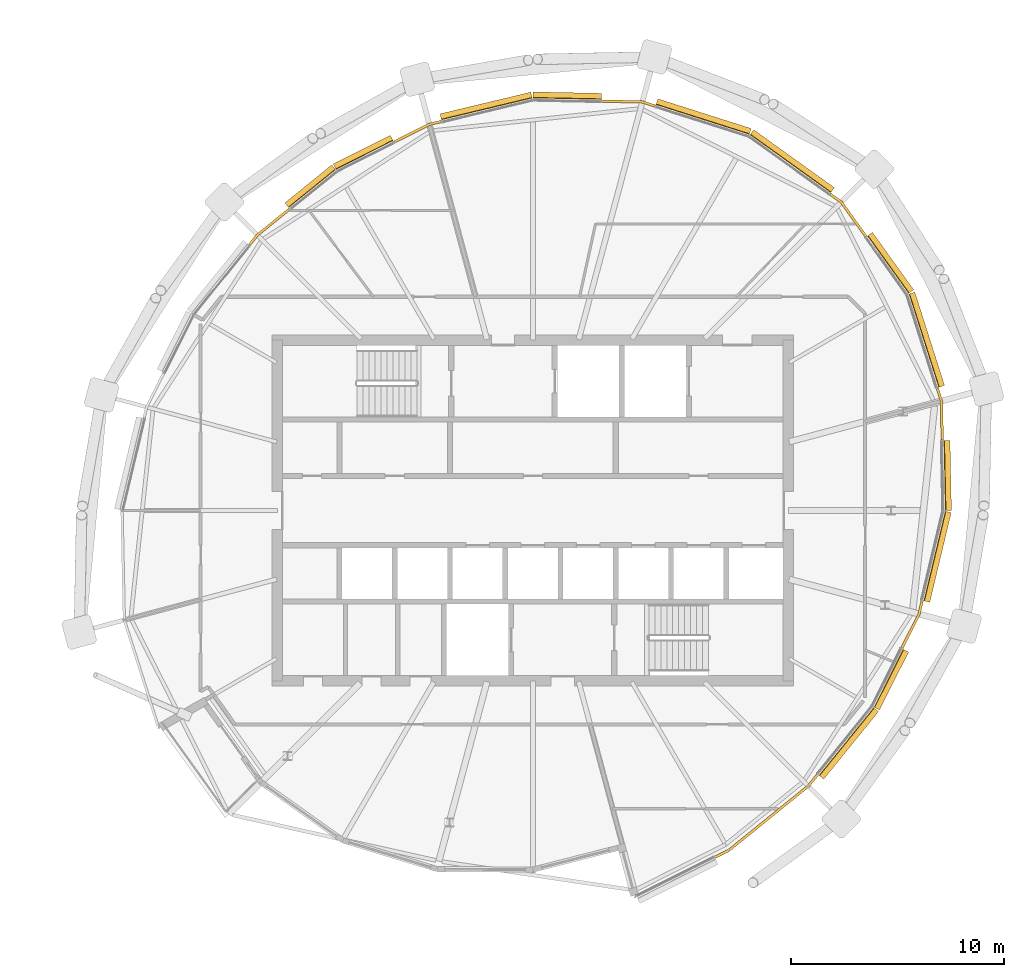
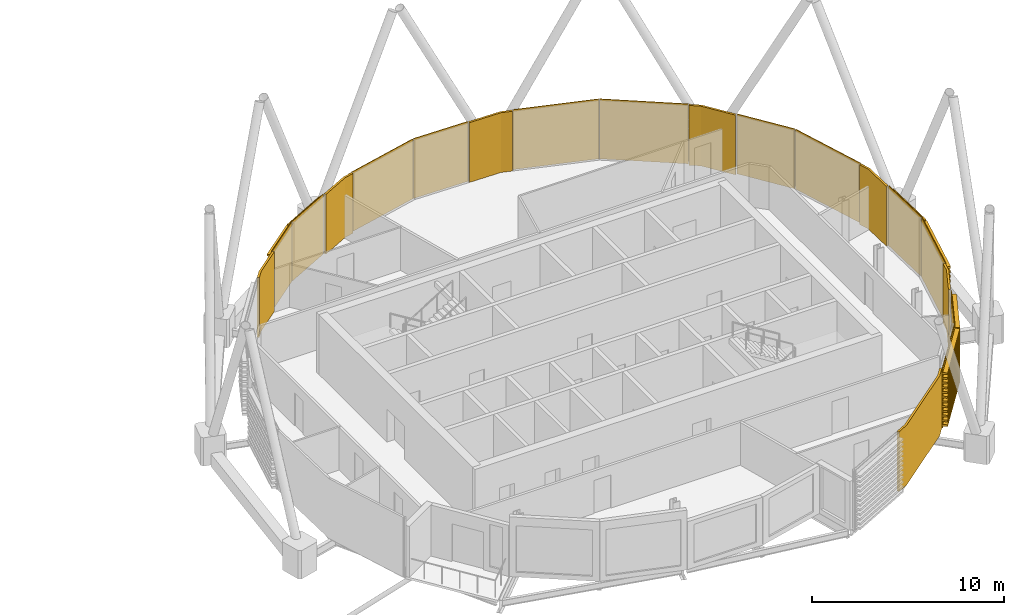
# One storey, part 32 of 32: 19 coverings.
"""IFC4 building model written with IfcOpenShell, lengths in metres."""

import ifcopenshell
import ifcopenshell.guid

model = None  # the IFC model being written
_history = None  # IfcOwnerHistory: only IFC2X3 demands one
_inside = {}  # id of a spatial element -> (the spatial element, [elements in it])
_under = {}  # id of a project, library or spatial element -> (it, [spatial elements below it])
_declared = {}  # id of a project -> (the project, [libraries it declares])
_typed = {}  # id of a type object -> (the type object, [elements of that type])
_made_of = {}  # id of a material, layer set ... -> (it, [elements and type objects made of it])


def new_model(schema):
    """Start an empty IFC model of exactly this schema.

    Asked for "IFC4X3", IfcOpenShell would pick the latest addendum, in which some entities
    have other attributes; the version numbers below select the first issue.
    IFC2X3 requires an IfcOwnerHistory on every rooted entity: one is made here for all.
    """
    global model, _history
    if schema == "IFC4X3":
        model = ifcopenshell.file(schema_version=(4, 3, 0, 0))
    else:
        model = ifcopenshell.file(schema=schema)
    _inside.clear()
    _under.clear()
    _declared.clear()
    _typed.clear()
    _made_of.clear()
    _history = None
    if model.schema == "IFC2X3":
        org = make("IfcOrganization", Name="unknown")
        user = make(
            "IfcPersonAndOrganization",
            ThePerson=make("IfcPerson", FamilyName="unknown"),
            TheOrganization=org,
        )
        app = make(
            "IfcApplication",
            ApplicationDeveloper=org,
            Version="unknown",
            ApplicationFullName="unknown",
            ApplicationIdentifier="unknown",
        )
        _history = make(
            "IfcOwnerHistory",
            OwningUser=user,
            OwningApplication=app,
            ChangeAction="ADDED",
            CreationDate=0,
        )
    return model


def make(cls, **values):
    """One entity of the class cls with the attributes given. An attribute that is None is left unset."""
    return model.create_entity(
        cls, **{name: value for name, value in values.items() if value is not None}
    )


def rooted(cls, **values):
    """An entity with a GlobalId (a new one), such as an element, a storey or a relation."""
    return make(cls, GlobalId=ifcopenshell.guid.new(), OwnerHistory=_history, **values)


def si_unit(unit_type, name, prefix=None):
    """IfcSIUnit, for example si_unit("LENGTHUNIT", "METRE", prefix="MILLI")."""
    return make("IfcSIUnit", UnitType=unit_type, Prefix=prefix, Name=name)


def assignment(units):
    """IfcUnitAssignment: the units of a project."""
    return None if units is None else make("IfcUnitAssignment", Units=units)


def point(xyz):
    """IfcCartesianPoint."""
    return None if xyz is None else make("IfcCartesianPoint", Coordinates=xyz)


def direction(xyz):
    """IfcDirection."""
    return None if xyz is None else make("IfcDirection", DirectionRatios=xyz)


def frame(location, z_axis=None, x_axis=None):
    """IfcAxis2Placement3D, a coordinate frame: its origin and axes. An axis left out is left unset."""
    return make(
        "IfcAxis2Placement3D",
        Location=point(location),
        Axis=direction(z_axis),
        RefDirection=direction(x_axis),
    )


def origin():
    """The frame at (0, 0, 0) with its axes left unset."""
    return frame((0.0, 0.0, 0.0))


def place(relative_to, where):
    """IfcLocalPlacement: puts the frame where relative to a parent placement (None: the world)."""
    return make(
        "IfcLocalPlacement", PlacementRelTo=relative_to, RelativePlacement=where
    )


def context(
    kind, dimensions, precision=None, world=None, true_north=None, identifier=None
):
    """IfcGeometricRepresentationContext, for example the 3D "Model" context."""
    return make(
        "IfcGeometricRepresentationContext",
        ContextIdentifier=identifier,
        ContextType=kind,
        CoordinateSpaceDimension=dimensions,
        Precision=precision,
        WorldCoordinateSystem=world,
        TrueNorth=true_north,
    )


def subcontext(parent, identifier, kind, view, scale=None):
    """IfcGeometricRepresentationSubContext, for example "Body" below "Model"."""
    return make(
        "IfcGeometricRepresentationSubContext",
        ContextIdentifier=identifier,
        ContextType=kind,
        ParentContext=parent,
        TargetScale=scale,
        TargetView=view,
    )


def project(units=None, contexts=None):
    """IfcProject with its units and contexts."""
    return rooted(
        "IfcProject",
        Name="project",
        RepresentationContexts=contexts,
        UnitsInContext=assignment(units),
    )


def spatial(cls, under=None, at=None, **own):
    """A site, building, storey or space (cls), placed at a placement, below another one or the project."""
    s = rooted(cls, ObjectPlacement=at, **own)
    if under is not None:
        _under.setdefault(under.id(), (under, []))[1].append(s)
    return s


def polyline(points):
    """IfcPolyline through the points."""
    return make("IfcPolyline", Points=[point(p) for p in points])


def outline(outer, holes=None, kind="AREA"):
    """IfcArbitraryClosedProfileDef: a profile drawn as a closed curve; with holes, ...WithVoids."""
    if holes is None:
        return make("IfcArbitraryClosedProfileDef", ProfileType=kind, OuterCurve=outer)
    return make(
        "IfcArbitraryProfileDefWithVoids",
        ProfileType=kind,
        OuterCurve=outer,
        InnerCurves=holes,
    )


def extrude(swept, where, along, depth):
    """IfcExtrudedAreaSolid: the profile swept, set in the frame where, extruded along a direction by depth."""
    return make(
        "IfcExtrudedAreaSolid",
        SweptArea=swept,
        Position=where,
        ExtrudedDirection=direction(along),
        Depth=depth,
    )


def shape(context_of_items, identifier, shape_type, items):
    """IfcShapeRepresentation: the items that make up one representation, for example the "Body"."""
    return make(
        "IfcShapeRepresentation",
        ContextOfItems=context_of_items,
        RepresentationIdentifier=identifier,
        RepresentationType=shape_type,
        Items=items,
    )


def material(Name=None, Category=None):
    """IfcMaterial."""
    return make("IfcMaterial", Name=Name, Category=Category)


def layer(
    of_material, thickness, ventilated=None, Name=None, Category=None, Priority=None
):
    """IfcMaterialLayer: one layer of a wall or slab, of a material (None: an air gap)."""
    return make(
        "IfcMaterialLayer",
        Material=of_material,
        LayerThickness=thickness,
        IsVentilated=ventilated,
        Name=Name,
        Category=Category,
        Priority=Priority,
    )


def layer_set(layers, Name=None):
    """IfcMaterialLayerSet."""
    return make("IfcMaterialLayerSet", MaterialLayers=layers, LayerSetName=Name)


def material_profile(
    of_material, cross_section, Name=None, Category=None, Priority=None
):
    """IfcMaterialProfile: a cross section and its material."""
    return make(
        "IfcMaterialProfile",
        Name=Name,
        Material=of_material,
        Profile=cross_section,
        Priority=Priority,
        Category=Category,
    )


def profile_set(profiles, Name=None, composite=None):
    """IfcMaterialProfileSet."""
    return make(
        "IfcMaterialProfileSet",
        Name=Name,
        MaterialProfiles=profiles,
        CompositeProfile=composite,
    )


def made_of(thing, what):
    """Note that an element or type object is made of a material, layer set ...; save() writes the relation."""
    if what is not None:
        _made_of.setdefault(what.id(), (what, []))[1].append(thing)
    return thing


def type_object(cls, material=None, **own):
    """A type object (cls), such as IfcWallType, which elements share."""
    return made_of(rooted(cls, **own), material)


def element(
    cls,
    number,
    at=None,
    inside=None,
    cuts=None,
    type_object=None,
    material=None,
    context=None,
    identifier="Body",
    shape_type=None,
    held_by="IfcProductDefinitionShape",
    body=None,
    shapes=None,
    **own,
):
    """One element of the class cls, such as IfcWall. Its Tag is "e" and its number.

    at: its placement. inside: the storey or other place that contains it. cuts: it is an
    opening in that element (IfcRelVoidsElement). A single representation is given by context,
    identifier, shape_type and body (its items); several are given by shapes. held_by: the class
    of the entity that holds the representations. save() writes the other relations.
    """
    e = rooted(cls, Tag="e%d" % number, ObjectPlacement=at, **own)
    if body is not None:
        shapes = [shape(context, identifier, shape_type, body)]
    if shapes is not None:
        e.Representation = make(held_by, Representations=shapes)
    if inside is not None:
        _inside.setdefault(inside.id(), (inside, []))[1].append(e)
    if cuts is not None:
        rooted(
            "IfcRelVoidsElement", RelatingBuildingElement=cuts, RelatedOpeningElement=e
        )
    if type_object is not None:
        _typed.setdefault(type_object.id(), (type_object, []))[1].append(e)
    return made_of(e, material)


def aggregate(whole, parts):
    """IfcRelAggregates: a whole, such as a stair, and the parts it consists of."""
    return rooted("IfcRelAggregates", RelatingObject=whole, RelatedObjects=parts)


def save(model, path):
    """Write the relations noted so far, then the file.

    IfcRelAggregates (storeys below a building ...), IfcRelContainedInSpatialStructure (elements
    in a storey), IfcRelDefinesByType, IfcRelAssociatesMaterial and IfcRelDeclares: one each for
    every whole, place, type object, material and project.
    """
    for whole, parts in _under.values():
        aggregate(whole, parts)
    for where, things in _inside.values():
        rooted(
            "IfcRelContainedInSpatialStructure",
            RelatedElements=things,
            RelatingStructure=where,
        )
    for kind, things in _typed.values():
        rooted("IfcRelDefinesByType", RelatedObjects=things, RelatingType=kind)
    for what, things in _made_of.values():
        rooted("IfcRelAssociatesMaterial", RelatedObjects=things, RelatingMaterial=what)
    for by, libraries in _declared.values():
        rooted("IfcRelDeclares", RelatingContext=by, RelatedDefinitions=libraries)
    model.write(path)


model = new_model("IFC4")

# Units and contexts
model_context = context("Model", 3, precision=1e-05, world=origin(), true_north=direction((0.0, 1.0)))
body_context = subcontext(model_context, "Body", "Model", "MODEL_VIEW")
ifc_project = project(units=[si_unit("LENGTHUNIT", "METRE"), si_unit("AREAUNIT", "SQUARE_METRE"), si_unit("VOLUMEUNIT", "CUBIC_METRE"), si_unit("PLANEANGLEUNIT", "RADIAN"), si_unit("MASSUNIT", "GRAM", prefix="KILO")], contexts=[model_context])

# Site, building, storey
site_placement = place(None, origin())
site = spatial("IfcSite", under=ifc_project, at=site_placement, CompositionType="ELEMENT")
building_placement = place(site_placement, origin())
building = spatial("IfcBuilding", under=site, at=building_placement, Name="Rimbun Link Towers", CompositionType="ELEMENT")
storey_placement = place(building_placement, frame((0.0, 0.0, 233.300048828125)))
storey = spatial("IfcBuildingStorey", under=building, at=storey_placement, Name="L57", CompositionType="ELEMENT", Elevation=233.300048828125)

# Coverings
ifc_material_1 = material(Name="Terracotta", Category="masonry")
ifc_layer = layer(ifc_material_1, 0.1201171875)
ifc_layer_set = layer_set([ifc_layer], Name="LINK PIER terracotta cladding 120")
covering_type_1 = type_object("IfcCoveringType", Name="LINK PIER terracotta cladding 120", PredefinedType="CLADDING", material=ifc_layer_set)
covering_1_placement = place(storey_placement, origin())
element("IfcCovering", 1, at=covering_1_placement, inside=storey, type_object=covering_type_1, Name="LINK PIER cladding", PredefinedType="CLADDING", context=body_context, shape_type="SweptSolid", body=[
    extrude(outline(polyline([(45.68896484375, 14.80419921875), (46.19287109375, 14.44287109375), (47.34130859375, 12.84228515625), (47.438720703125, 12.912109375), (46.27880859375, 14.52880859375), (45.759033203125, 14.90185546875), (45.68896484375, 14.80419921875)])), origin(), (0.0, 0.0, 1.0), 3.800048828125),
])
covering_2_placement = place(storey_placement, origin())
element("IfcCovering", 2, at=covering_2_placement, inside=storey, type_object=covering_type_1, Name="LINK PIER cladding", PredefinedType="CLADDING", context=body_context, shape_type="SweptSolid", body=[
    extrude(outline(polyline([(35.00634765625, 19.169677734375), (36.8759765625, 19.13037109375), (37.466796875, 18.9423828125), (37.503173828125, 19.056640625), (36.895751953125, 19.25), (35.0087890625, 19.28955078125), (35.00634765625, 19.169677734375)])), origin(), (0.0, 0.0, 1.0), 3.800048828125),
])
covering_3_placement = place(storey_placement, origin())
element("IfcCovering", 3, at=covering_3_placement, inside=storey, type_object=covering_type_1, Name="LINK PIER cladding", PredefinedType="CLADDING", context=body_context, shape_type="SweptSolid", body=[
    extrude(outline(polyline([(25.279052734375, 17.262939453125), (26.905517578125, 18.07958984375), (27.4599609375, 18.21240234375), (27.43212890625, 18.3291015625), (26.8642578125, 18.193115234375), (25.225341796875, 17.3701171875), (25.279052734375, 17.262939453125)])), origin(), (0.0, 0.0, 1.0), 3.800048828125),
])
covering_4_placement = place(storey_placement, origin())
element("IfcCovering", 4, at=covering_4_placement, inside=storey, type_object=covering_type_1, Name="LINK PIER cladding", PredefinedType="CLADDING", context=body_context, shape_type="SweptSolid", body=[
    extrude(outline(polyline([(18.49609375, 12.452392578125), (18.8544921875, 12.8955078125), (20.346923828125, 14.103271484375), (20.271484375, 14.196533203125), (18.769287109375, 12.980712890625), (18.40283203125, 12.52783203125), (18.49609375, 12.452392578125)])), origin(), (0.0, 0.0, 1.0), 3.800048828125),
])
covering_5_placement = place(storey_placement, origin())
element("IfcCovering", 5, at=covering_5_placement, inside=storey, type_object=covering_type_1, Name="LINK PIER cladding", PredefinedType="CLADDING", context=body_context, shape_type="SweptSolid", body=[
    extrude(outline(polyline([(45.06689453125, -12.37451171875), (44.6455078125, -12.8955078125), (40.930908203125, -15.90185546875), (40.28759765625, -16.22509765625), (40.341552734375, -16.332275390625), (40.996337890625, -16.00341796875), (44.730712890625, -12.980712890625), (45.16015625, -12.4501953125), (45.06689453125, -12.37451171875)])), origin(), (0.0, 0.0, 1.0), 3.800048828125),
])
covering_6_placement = place(storey_placement, origin())
element("IfcCovering", 6, at=covering_6_placement, inside=storey, type_object=covering_type_1, Name="LINK PIER cladding", PredefinedType="CLADDING", context=body_context, shape_type="SweptSolid", body=[
    extrude(outline(polyline([(49.973876953125, -4.241455078125), (49.82958984375, -4.844482421875), (49.035400390625, -6.42626953125), (49.142578125, -6.47998046875), (49.943115234375, -4.8857421875), (50.090576171875, -4.269287109375), (49.973876953125, -4.241455078125)])), origin(), (0.0, 0.0, 1.0), 3.800048828125),
])
covering_7_placement = place(storey_placement, origin())
element("IfcCovering", 7, at=covering_7_placement, inside=storey, type_object=covering_type_1, Name="LINK PIER cladding", PredefinedType="CLADDING", context=body_context, shape_type="SweptSolid", body=[
    extrude(outline(polyline([(50.6923828125, 5.716796875), (50.88037109375, 5.1259765625), (50.918701171875, 3.306396484375), (51.03857421875, 3.308837890625), (51.0, 5.145751953125), (50.806640625, 5.753173828125), (50.6923828125, 5.716796875)])), origin(), (0.0, 0.0, 1.0), 3.800048828125),
])
ifc_material_2 = material(Name="Terracotta", Category="masonry")
ifc_material_profile = material_profile(ifc_material_2, outline(polyline([(0.123046875, 0.0), (0.1630859375, 0.0), (0.1630859375, 0.10009765625), (0.423095703125, 0.10009765625), (0.423095703125, 0.219970703125), (0.1630859375, 0.219970703125), (0.1630859375, 0.39990234375), (0.423095703125, 0.39990234375), (0.423095703125, 0.52001953125), (0.1630859375, 0.52001953125), (0.1630859375, 0.699951171875), (0.423095703125, 0.699951171875), (0.423095703125, 0.820068359375), (0.1630859375, 0.820068359375), (0.1630859375, 1.0), (0.423095703125, 1.0), (0.423095703125, 1.1201171875), (0.1630859375, 1.1201171875), (0.1630859375, 1.300048828125), (0.423095703125, 1.300048828125), (0.423095703125, 1.419921875), (0.1630859375, 1.419921875), (0.1630859375, 1.60009765625), (0.423095703125, 1.60009765625), (0.423095703125, 1.719970703125), (0.1630859375, 1.719970703125), (0.1630859375, 1.89990234375), (0.423095703125, 1.89990234375), (0.423095703125, 2.02001953125), (0.1630859375, 2.02001953125), (0.1630859375, 2.199951171875), (0.423095703125, 2.199951171875), (0.423095703125, 2.320068359375), (0.1630859375, 2.320068359375), (0.1630859375, 2.5), (0.423095703125, 2.5), (0.423095703125, 2.6201171875), (0.1630859375, 2.6201171875), (0.1630859375, 2.800048828125), (0.423095703125, 2.800048828125), (0.423095703125, 2.919921875), (0.1630859375, 2.919921875), (0.1630859375, 3.10009765625), (0.423095703125, 3.10009765625), (0.423095703125, 3.219970703125), (0.1630859375, 3.219970703125), (0.1630859375, 3.39990234375), (0.423095703125, 3.39990234375), (0.423095703125, 3.52001953125), (0.1630859375, 3.52001953125), (0.1630859375, 3.800048828125), (0.123046875, 3.800048828125), (0.123046875, 0.0)])), Name="BAGUETTE 120X300")
ifc_profile_set = profile_set([ifc_material_profile], Name="Terracotta")
covering_type_2 = type_object("IfcCoveringType", Name="TERRACOTTA BAGUETTE 120X300 H3800", PredefinedType="CLADDING", material=ifc_profile_set)
covering_8_placement = place(storey_placement, frame((41.876708984375, 17.539794921875, 0.0), z_axis=(0.812489722705, -0.582975514493, 0.0), x_axis=(0.582975514493, 0.812489722705, 0.0)))
element("IfcCovering", 8, at=covering_8_placement, inside=storey, type_object=covering_type_2, Name="TERRACOTTA BAGUETTE", PredefinedType="CLADDING", context=body_context, shape_type="SweptSolid", body=[
    extrude(outline(polyline([(0.123046875, 0.0), (0.1630859375, 0.0), (0.1630859375, 0.10009765625), (0.423095703125, 0.10009765625), (0.423095703125, 0.219970703125), (0.1630859375, 0.219970703125), (0.1630859375, 0.39990234375), (0.423095703125, 0.39990234375), (0.423095703125, 0.52001953125), (0.1630859375, 0.52001953125), (0.1630859375, 0.699951171875), (0.423095703125, 0.699951171875), (0.423095703125, 0.820068359375), (0.1630859375, 0.820068359375), (0.1630859375, 1.0), (0.423095703125, 1.0), (0.423095703125, 1.1201171875), (0.1630859375, 1.1201171875), (0.1630859375, 1.300048828125), (0.423095703125, 1.300048828125), (0.423095703125, 1.419921875), (0.1630859375, 1.419921875), (0.1630859375, 1.60009765625), (0.423095703125, 1.60009765625), (0.423095703125, 1.719970703125), (0.1630859375, 1.719970703125), (0.1630859375, 1.89990234375), (0.423095703125, 1.89990234375), (0.423095703125, 2.02001953125), (0.1630859375, 2.02001953125), (0.1630859375, 2.199951171875), (0.423095703125, 2.199951171875), (0.423095703125, 2.320068359375), (0.1630859375, 2.320068359375), (0.1630859375, 2.5), (0.423095703125, 2.5), (0.423095703125, 2.6201171875), (0.1630859375, 2.6201171875), (0.1630859375, 2.800048828125), (0.423095703125, 2.800048828125), (0.423095703125, 2.919921875), (0.1630859375, 2.919921875), (0.1630859375, 3.10009765625), (0.423095703125, 3.10009765625), (0.423095703125, 3.219970703125), (0.1630859375, 3.219970703125), (0.1630859375, 3.39990234375), (0.423095703125, 3.39990234375), (0.423095703125, 3.52001953125), (0.1630859375, 3.52001953125), (0.1630859375, 3.800048828125), (0.123046875, 3.800048828125), (0.123046875, 0.0)])), origin(), (0.0, 0.0, 1.0), 4.662353515625),
])
covering_9_placement = place(storey_placement, frame((37.495361328125, 18.933349609375, 0.0), z_axis=(0.952957854704, -0.303102832645, 0.0), x_axis=(0.303102832645, 0.952957854704, 0.0)))
element("IfcCovering", 9, at=covering_9_placement, inside=storey, type_object=covering_type_2, Name="TERRACOTTA BAGUETTE", PredefinedType="CLADDING", context=body_context, shape_type="SweptSolid", body=[
    extrude(outline(polyline([(0.123046875, 0.0), (0.1630859375, 0.0), (0.1630859375, 0.10009765625), (0.423095703125, 0.10009765625), (0.423095703125, 0.219970703125), (0.1630859375, 0.219970703125), (0.1630859375, 0.39990234375), (0.423095703125, 0.39990234375), (0.423095703125, 0.52001953125), (0.1630859375, 0.52001953125), (0.1630859375, 0.699951171875), (0.423095703125, 0.699951171875), (0.423095703125, 0.820068359375), (0.1630859375, 0.820068359375), (0.1630859375, 1.0), (0.423095703125, 1.0), (0.423095703125, 1.1201171875), (0.1630859375, 1.1201171875), (0.1630859375, 1.300048828125), (0.423095703125, 1.300048828125), (0.423095703125, 1.419921875), (0.1630859375, 1.419921875), (0.1630859375, 1.60009765625), (0.423095703125, 1.60009765625), (0.423095703125, 1.719970703125), (0.1630859375, 1.719970703125), (0.1630859375, 1.89990234375), (0.423095703125, 1.89990234375), (0.423095703125, 2.02001953125), (0.1630859375, 2.02001953125), (0.1630859375, 2.199951171875), (0.423095703125, 2.199951171875), (0.423095703125, 2.320068359375), (0.1630859375, 2.320068359375), (0.1630859375, 2.5), (0.423095703125, 2.5), (0.423095703125, 2.6201171875), (0.1630859375, 2.6201171875), (0.1630859375, 2.800048828125), (0.423095703125, 2.800048828125), (0.423095703125, 2.919921875), (0.1630859375, 2.919921875), (0.1630859375, 3.10009765625), (0.423095703125, 3.10009765625), (0.423095703125, 3.219970703125), (0.1630859375, 3.219970703125), (0.1630859375, 3.39990234375), (0.423095703125, 3.39990234375), (0.423095703125, 3.52001953125), (0.1630859375, 3.52001953125), (0.1630859375, 3.800048828125), (0.123046875, 3.800048828125), (0.123046875, 0.0)])), origin(), (0.0, 0.0, 1.0), 4.59765625),
])
covering_10_placement = place(storey_placement, frame((31.75, 19.23828125, 0.0), z_axis=(0.999778802026, -0.021032047443, 0.0), x_axis=(0.021032047443, 0.999778802026, 0.0)))
element("IfcCovering", 10, at=covering_10_placement, inside=storey, type_object=covering_type_2, Name="TERRACOTTA BAGUETTE", PredefinedType="CLADDING", context=body_context, shape_type="SweptSolid", body=[
    extrude(outline(polyline([(0.123046875, 0.0), (0.1630859375, 0.0), (0.1630859375, 0.10009765625), (0.423095703125, 0.10009765625), (0.423095703125, 0.219970703125), (0.1630859375, 0.219970703125), (0.1630859375, 0.39990234375), (0.423095703125, 0.39990234375), (0.423095703125, 0.52001953125), (0.1630859375, 0.52001953125), (0.1630859375, 0.699951171875), (0.423095703125, 0.699951171875), (0.423095703125, 0.820068359375), (0.1630859375, 0.820068359375), (0.1630859375, 1.0), (0.423095703125, 1.0), (0.423095703125, 1.1201171875), (0.1630859375, 1.1201171875), (0.1630859375, 1.300048828125), (0.423095703125, 1.300048828125), (0.423095703125, 1.419921875), (0.1630859375, 1.419921875), (0.1630859375, 1.60009765625), (0.423095703125, 1.60009765625), (0.423095703125, 1.719970703125), (0.1630859375, 1.719970703125), (0.1630859375, 1.89990234375), (0.423095703125, 1.89990234375), (0.423095703125, 2.02001953125), (0.1630859375, 2.02001953125), (0.1630859375, 2.199951171875), (0.423095703125, 2.199951171875), (0.423095703125, 2.320068359375), (0.1630859375, 2.320068359375), (0.1630859375, 2.5), (0.423095703125, 2.5), (0.423095703125, 2.6201171875), (0.1630859375, 2.6201171875), (0.1630859375, 2.800048828125), (0.423095703125, 2.800048828125), (0.423095703125, 2.919921875), (0.1630859375, 2.919921875), (0.1630859375, 3.10009765625), (0.423095703125, 3.10009765625), (0.423095703125, 3.219970703125), (0.1630859375, 3.219970703125), (0.1630859375, 3.39990234375), (0.423095703125, 3.39990234375), (0.423095703125, 3.52001953125), (0.1630859375, 3.52001953125), (0.1630859375, 3.800048828125), (0.123046875, 3.800048828125), (0.123046875, 0.0)])), origin(), (0.0, 0.0, 1.0), 3.22705078125),
])
covering_11_placement = place(storey_placement, frame((27.4892578125, 18.21923828125, 0.0), z_axis=(0.972570121916, 0.232609883617, 0.0), x_axis=(-0.232609883617, 0.972570121916, 0.0)))
element("IfcCovering", 11, at=covering_11_placement, inside=storey, type_object=covering_type_2, Name="TERRACOTTA BAGUETTE", PredefinedType="CLADDING", context=body_context, shape_type="SweptSolid", body=[
    extrude(outline(polyline([(0.123046875, 0.0), (0.1630859375, 0.0), (0.1630859375, 0.10009765625), (0.423095703125, 0.10009765625), (0.423095703125, 0.219970703125), (0.1630859375, 0.219970703125), (0.1630859375, 0.39990234375), (0.423095703125, 0.39990234375), (0.423095703125, 0.52001953125), (0.1630859375, 0.52001953125), (0.1630859375, 0.699951171875), (0.423095703125, 0.699951171875), (0.423095703125, 0.820068359375), (0.1630859375, 0.820068359375), (0.1630859375, 1.0), (0.423095703125, 1.0), (0.423095703125, 1.1201171875), (0.1630859375, 1.1201171875), (0.1630859375, 1.300048828125), (0.423095703125, 1.300048828125), (0.423095703125, 1.419921875), (0.1630859375, 1.419921875), (0.1630859375, 1.60009765625), (0.423095703125, 1.60009765625), (0.423095703125, 1.719970703125), (0.1630859375, 1.719970703125), (0.1630859375, 1.89990234375), (0.423095703125, 1.89990234375), (0.423095703125, 2.02001953125), (0.1630859375, 2.02001953125), (0.1630859375, 2.199951171875), (0.423095703125, 2.199951171875), (0.423095703125, 2.320068359375), (0.1630859375, 2.320068359375), (0.1630859375, 2.5), (0.423095703125, 2.5), (0.423095703125, 2.6201171875), (0.1630859375, 2.6201171875), (0.1630859375, 2.800048828125), (0.423095703125, 2.800048828125), (0.423095703125, 2.919921875), (0.1630859375, 2.919921875), (0.1630859375, 3.10009765625), (0.423095703125, 3.10009765625), (0.423095703125, 3.219970703125), (0.1630859375, 3.219970703125), (0.1630859375, 3.39990234375), (0.423095703125, 3.39990234375), (0.423095703125, 3.52001953125), (0.1630859375, 3.52001953125), (0.1630859375, 3.800048828125), (0.123046875, 3.800048828125), (0.123046875, 0.0)])), origin(), (0.0, 0.0, 1.0), 4.380859375),
])
covering_12_placement = place(storey_placement, frame((22.569091796875, 15.90185546875, 0.0), z_axis=(0.89362897726, 0.448806473885, 0.0), x_axis=(-0.448806473885, 0.89362897726, 0.0)))
element("IfcCovering", 12, at=covering_12_placement, inside=storey, type_object=covering_type_2, Name="TERRACOTTA BAGUETTE", PredefinedType="CLADDING", context=body_context, shape_type="SweptSolid", body=[
    extrude(outline(polyline([(0.123046875, 0.0), (0.1630859375, 0.0), (0.1630859375, 0.10009765625), (0.423095703125, 0.10009765625), (0.423095703125, 0.219970703125), (0.1630859375, 0.219970703125), (0.1630859375, 0.39990234375), (0.423095703125, 0.39990234375), (0.423095703125, 0.52001953125), (0.1630859375, 0.52001953125), (0.1630859375, 0.699951171875), (0.423095703125, 0.699951171875), (0.423095703125, 0.820068359375), (0.1630859375, 0.820068359375), (0.1630859375, 1.0), (0.423095703125, 1.0), (0.423095703125, 1.1201171875), (0.1630859375, 1.1201171875), (0.1630859375, 1.300048828125), (0.423095703125, 1.300048828125), (0.423095703125, 1.419921875), (0.1630859375, 1.419921875), (0.1630859375, 1.60009765625), (0.423095703125, 1.60009765625), (0.423095703125, 1.719970703125), (0.1630859375, 1.719970703125), (0.1630859375, 1.89990234375), (0.423095703125, 1.89990234375), (0.423095703125, 2.02001953125), (0.1630859375, 2.02001953125), (0.1630859375, 2.199951171875), (0.423095703125, 2.199951171875), (0.423095703125, 2.320068359375), (0.1630859375, 2.320068359375), (0.1630859375, 2.5), (0.423095703125, 2.5), (0.423095703125, 2.6201171875), (0.1630859375, 2.6201171875), (0.1630859375, 2.800048828125), (0.423095703125, 2.800048828125), (0.423095703125, 2.919921875), (0.1630859375, 2.919921875), (0.1630859375, 3.10009765625), (0.423095703125, 3.10009765625), (0.423095703125, 3.219970703125), (0.1630859375, 3.219970703125), (0.1630859375, 3.39990234375), (0.423095703125, 3.39990234375), (0.423095703125, 3.52001953125), (0.1630859375, 3.52001953125), (0.1630859375, 3.800048828125), (0.123046875, 3.800048828125), (0.123046875, 0.0)])), origin(), (0.0, 0.0, 1.0), 3.002685546875),
])
covering_13_placement = place(storey_placement, frame((20.370361328125, 14.122314453125, 0.0), z_axis=(0.777311195317, 0.629116289437, 0.0), x_axis=(-0.629116289437, 0.777311195317, 0.0)))
element("IfcCovering", 13, at=covering_13_placement, inside=storey, type_object=covering_type_2, Name="TERRACOTTA BAGUETTE", PredefinedType="CLADDING", context=body_context, shape_type="SweptSolid", body=[
    extrude(outline(polyline([(0.123046875, 0.0), (0.1630859375, 0.0), (0.1630859375, 0.10009765625), (0.423095703125, 0.10009765625), (0.423095703125, 0.219970703125), (0.1630859375, 0.219970703125), (0.1630859375, 0.39990234375), (0.423095703125, 0.39990234375), (0.423095703125, 0.52001953125), (0.1630859375, 0.52001953125), (0.1630859375, 0.699951171875), (0.423095703125, 0.699951171875), (0.423095703125, 0.820068359375), (0.1630859375, 0.820068359375), (0.1630859375, 1.0), (0.423095703125, 1.0), (0.423095703125, 1.1201171875), (0.1630859375, 1.1201171875), (0.1630859375, 1.300048828125), (0.423095703125, 1.300048828125), (0.423095703125, 1.419921875), (0.1630859375, 1.419921875), (0.1630859375, 1.60009765625), (0.423095703125, 1.60009765625), (0.423095703125, 1.719970703125), (0.1630859375, 1.719970703125), (0.1630859375, 1.89990234375), (0.423095703125, 1.89990234375), (0.423095703125, 2.02001953125), (0.1630859375, 2.02001953125), (0.1630859375, 2.199951171875), (0.423095703125, 2.199951171875), (0.423095703125, 2.320068359375), (0.1630859375, 2.320068359375), (0.1630859375, 2.5), (0.423095703125, 2.5), (0.423095703125, 2.6201171875), (0.1630859375, 2.6201171875), (0.1630859375, 2.800048828125), (0.423095703125, 2.800048828125), (0.423095703125, 2.919921875), (0.1630859375, 2.919921875), (0.1630859375, 3.10009765625), (0.423095703125, 3.10009765625), (0.423095703125, 3.219970703125), (0.1630859375, 3.219970703125), (0.1630859375, 3.39990234375), (0.423095703125, 3.39990234375), (0.423095703125, 3.52001953125), (0.1630859375, 3.52001953125), (0.1630859375, 3.800048828125), (0.123046875, 3.800048828125), (0.123046875, 0.0)])), origin(), (0.0, 0.0, 1.0), 2.82861328125),
])
covering_14_placement = place(storey_placement, frame((47.65185546875, -9.180908203125, 0.0), z_axis=(-0.629144848884, -0.777288079879, 0.0), x_axis=(0.777288079879, -0.629144848884, 0.0)))
element("IfcCovering", 14, at=covering_14_placement, inside=storey, type_object=covering_type_2, Name="TERRACOTTA BAGUETTE", PredefinedType="CLADDING", context=body_context, shape_type="SweptSolid", body=[
    extrude(outline(polyline([(0.123046875, 0.0), (0.1630859375, 0.0), (0.1630859375, 0.10009765625), (0.423095703125, 0.10009765625), (0.423095703125, 0.219970703125), (0.1630859375, 0.219970703125), (0.1630859375, 0.39990234375), (0.423095703125, 0.39990234375), (0.423095703125, 0.52001953125), (0.1630859375, 0.52001953125), (0.1630859375, 0.699951171875), (0.423095703125, 0.699951171875), (0.423095703125, 0.820068359375), (0.1630859375, 0.820068359375), (0.1630859375, 1.0), (0.423095703125, 1.0), (0.423095703125, 1.1201171875), (0.1630859375, 1.1201171875), (0.1630859375, 1.300048828125), (0.423095703125, 1.300048828125), (0.423095703125, 1.419921875), (0.1630859375, 1.419921875), (0.1630859375, 1.60009765625), (0.423095703125, 1.60009765625), (0.423095703125, 1.719970703125), (0.1630859375, 1.719970703125), (0.1630859375, 1.89990234375), (0.423095703125, 1.89990234375), (0.423095703125, 2.02001953125), (0.1630859375, 2.02001953125), (0.1630859375, 2.199951171875), (0.423095703125, 2.199951171875), (0.423095703125, 2.320068359375), (0.1630859375, 2.320068359375), (0.1630859375, 2.5), (0.423095703125, 2.5), (0.423095703125, 2.6201171875), (0.1630859375, 2.6201171875), (0.1630859375, 2.800048828125), (0.423095703125, 2.800048828125), (0.423095703125, 2.919921875), (0.1630859375, 2.919921875), (0.1630859375, 3.10009765625), (0.423095703125, 3.10009765625), (0.423095703125, 3.219970703125), (0.1630859375, 3.219970703125), (0.1630859375, 3.39990234375), (0.423095703125, 3.39990234375), (0.423095703125, 3.52001953125), (0.1630859375, 3.52001953125), (0.1630859375, 3.800048828125), (0.123046875, 3.800048828125), (0.123046875, 0.0)])), origin(), (0.0, 0.0, 1.0), 4.078857421875),
])
covering_15_placement = place(storey_placement, frame((49.02197265625, -6.452880859375, 0.0), z_axis=(-0.448812354249, -0.893626023946, 0.0), x_axis=(0.893626023946, -0.448812354249, 0.0)))
element("IfcCovering", 15, at=covering_15_placement, inside=storey, type_object=covering_type_2, Name="TERRACOTTA BAGUETTE", PredefinedType="CLADDING", context=body_context, shape_type="SweptSolid", body=[
    extrude(outline(polyline([(0.123046875, 0.0), (0.1630859375, 0.0), (0.1630859375, 0.10009765625), (0.423095703125, 0.10009765625), (0.423095703125, 0.219970703125), (0.1630859375, 0.219970703125), (0.1630859375, 0.39990234375), (0.423095703125, 0.39990234375), (0.423095703125, 0.52001953125), (0.1630859375, 0.52001953125), (0.1630859375, 0.699951171875), (0.423095703125, 0.699951171875), (0.423095703125, 0.820068359375), (0.1630859375, 0.820068359375), (0.1630859375, 1.0), (0.423095703125, 1.0), (0.423095703125, 1.1201171875), (0.1630859375, 1.1201171875), (0.1630859375, 1.300048828125), (0.423095703125, 1.300048828125), (0.423095703125, 1.419921875), (0.1630859375, 1.419921875), (0.1630859375, 1.60009765625), (0.423095703125, 1.60009765625), (0.423095703125, 1.719970703125), (0.1630859375, 1.719970703125), (0.1630859375, 1.89990234375), (0.423095703125, 1.89990234375), (0.423095703125, 2.02001953125), (0.1630859375, 2.02001953125), (0.1630859375, 2.199951171875), (0.423095703125, 2.199951171875), (0.423095703125, 2.320068359375), (0.1630859375, 2.320068359375), (0.1630859375, 2.5), (0.423095703125, 2.5), (0.423095703125, 2.6201171875), (0.1630859375, 2.6201171875), (0.1630859375, 2.800048828125), (0.423095703125, 2.800048828125), (0.423095703125, 2.919921875), (0.1630859375, 2.919921875), (0.1630859375, 3.10009765625), (0.423095703125, 3.10009765625), (0.423095703125, 3.219970703125), (0.1630859375, 3.219970703125), (0.1630859375, 3.39990234375), (0.423095703125, 3.39990234375), (0.423095703125, 3.52001953125), (0.1630859375, 3.52001953125), (0.1630859375, 3.800048828125), (0.123046875, 3.800048828125), (0.123046875, 0.0)])), origin(), (0.0, 0.0, 1.0), 3.052734375),
])
covering_16_placement = place(storey_placement, frame((50.98828125, 0.0, 0.0), z_axis=(-0.232588282519, -0.972575288003, 0.0), x_axis=(0.972575288003, -0.232588282519, 0.0)))
element("IfcCovering", 16, at=covering_16_placement, inside=storey, type_object=covering_type_2, Name="TERRACOTTA BAGUETTE", PredefinedType="CLADDING", context=body_context, shape_type="SweptSolid", body=[
    extrude(outline(polyline([(0.123046875, 0.0), (0.1630859375, 0.0), (0.1630859375, 0.10009765625), (0.423095703125, 0.10009765625), (0.423095703125, 0.219970703125), (0.1630859375, 0.219970703125), (0.1630859375, 0.39990234375), (0.423095703125, 0.39990234375), (0.423095703125, 0.52001953125), (0.1630859375, 0.52001953125), (0.1630859375, 0.699951171875), (0.423095703125, 0.699951171875), (0.423095703125, 0.820068359375), (0.1630859375, 0.820068359375), (0.1630859375, 1.0), (0.423095703125, 1.0), (0.423095703125, 1.1201171875), (0.1630859375, 1.1201171875), (0.1630859375, 1.300048828125), (0.423095703125, 1.300048828125), (0.423095703125, 1.419921875), (0.1630859375, 1.419921875), (0.1630859375, 1.60009765625), (0.423095703125, 1.60009765625), (0.423095703125, 1.719970703125), (0.1630859375, 1.719970703125), (0.1630859375, 1.89990234375), (0.423095703125, 1.89990234375), (0.423095703125, 2.02001953125), (0.1630859375, 2.02001953125), (0.1630859375, 2.199951171875), (0.423095703125, 2.199951171875), (0.423095703125, 2.320068359375), (0.1630859375, 2.320068359375), (0.1630859375, 2.5), (0.423095703125, 2.5), (0.423095703125, 2.6201171875), (0.1630859375, 2.6201171875), (0.1630859375, 2.800048828125), (0.423095703125, 2.800048828125), (0.423095703125, 2.919921875), (0.1630859375, 2.919921875), (0.1630859375, 3.10009765625), (0.423095703125, 3.10009765625), (0.423095703125, 3.219970703125), (0.1630859375, 3.219970703125), (0.1630859375, 3.39990234375), (0.423095703125, 3.39990234375), (0.423095703125, 3.52001953125), (0.1630859375, 3.52001953125), (0.1630859375, 3.800048828125), (0.123046875, 3.800048828125), (0.123046875, 0.0)])), origin(), (0.0, 0.0, 1.0), 4.3310546875),
])
covering_17_placement = place(storey_placement, frame((50.919189453125, 3.2763671875, 0.0), z_axis=(0.02108324112, -0.999777723769, 0.0), x_axis=(0.999777723769, 0.02108324112, 0.0)))
element("IfcCovering", 17, at=covering_17_placement, inside=storey, type_object=covering_type_2, Name="TERRACOTTA BAGUETTE", PredefinedType="CLADDING", context=body_context, shape_type="SweptSolid", body=[
    extrude(outline(polyline([(0.123046875, 0.0), (0.1630859375, 0.0), (0.1630859375, 0.10009765625), (0.423095703125, 0.10009765625), (0.423095703125, 0.219970703125), (0.1630859375, 0.219970703125), (0.1630859375, 0.39990234375), (0.423095703125, 0.39990234375), (0.423095703125, 0.52001953125), (0.1630859375, 0.52001953125), (0.1630859375, 0.699951171875), (0.423095703125, 0.699951171875), (0.423095703125, 0.820068359375), (0.1630859375, 0.820068359375), (0.1630859375, 1.0), (0.423095703125, 1.0), (0.423095703125, 1.1201171875), (0.1630859375, 1.1201171875), (0.1630859375, 1.300048828125), (0.423095703125, 1.300048828125), (0.423095703125, 1.419921875), (0.1630859375, 1.419921875), (0.1630859375, 1.60009765625), (0.423095703125, 1.60009765625), (0.423095703125, 1.719970703125), (0.1630859375, 1.719970703125), (0.1630859375, 1.89990234375), (0.423095703125, 1.89990234375), (0.423095703125, 2.02001953125), (0.1630859375, 2.02001953125), (0.1630859375, 2.199951171875), (0.423095703125, 2.199951171875), (0.423095703125, 2.320068359375), (0.1630859375, 2.320068359375), (0.1630859375, 2.5), (0.423095703125, 2.5), (0.423095703125, 2.6201171875), (0.1630859375, 2.6201171875), (0.1630859375, 2.800048828125), (0.423095703125, 2.800048828125), (0.423095703125, 2.919921875), (0.1630859375, 2.919921875), (0.1630859375, 3.10009765625), (0.423095703125, 3.10009765625), (0.423095703125, 3.219970703125), (0.1630859375, 3.219970703125), (0.1630859375, 3.39990234375), (0.423095703125, 3.39990234375), (0.423095703125, 3.52001953125), (0.1630859375, 3.52001953125), (0.1630859375, 3.800048828125), (0.123046875, 3.800048828125), (0.123046875, 0.0)])), origin(), (0.0, 0.0, 1.0), 3.277099609375),
])
covering_18_placement = place(storey_placement, frame((49.289794921875, 10.126708984375, 0.0), z_axis=(0.303102832645, -0.952957854704, 0.0), x_axis=(0.952957854704, 0.303102832645, 0.0)))
element("IfcCovering", 18, at=covering_18_placement, inside=storey, type_object=covering_type_2, Name="TERRACOTTA BAGUETTE", PredefinedType="CLADDING", context=body_context, shape_type="SweptSolid", body=[
    extrude(outline(polyline([(0.123046875, 0.0), (0.1630859375, 0.0), (0.1630859375, 0.10009765625), (0.423095703125, 0.10009765625), (0.423095703125, 0.219970703125), (0.1630859375, 0.219970703125), (0.1630859375, 0.39990234375), (0.423095703125, 0.39990234375), (0.423095703125, 0.52001953125), (0.1630859375, 0.52001953125), (0.1630859375, 0.699951171875), (0.423095703125, 0.699951171875), (0.423095703125, 0.820068359375), (0.1630859375, 0.820068359375), (0.1630859375, 1.0), (0.423095703125, 1.0), (0.423095703125, 1.1201171875), (0.1630859375, 1.1201171875), (0.1630859375, 1.300048828125), (0.423095703125, 1.300048828125), (0.423095703125, 1.419921875), (0.1630859375, 1.419921875), (0.1630859375, 1.60009765625), (0.423095703125, 1.60009765625), (0.423095703125, 1.719970703125), (0.1630859375, 1.719970703125), (0.1630859375, 1.89990234375), (0.423095703125, 1.89990234375), (0.423095703125, 2.02001953125), (0.1630859375, 2.02001953125), (0.1630859375, 2.199951171875), (0.423095703125, 2.199951171875), (0.423095703125, 2.320068359375), (0.1630859375, 2.320068359375), (0.1630859375, 2.5), (0.423095703125, 2.5), (0.423095703125, 2.6201171875), (0.1630859375, 2.6201171875), (0.1630859375, 2.800048828125), (0.423095703125, 2.800048828125), (0.423095703125, 2.919921875), (0.1630859375, 2.919921875), (0.1630859375, 3.10009765625), (0.423095703125, 3.10009765625), (0.423095703125, 3.219970703125), (0.1630859375, 3.219970703125), (0.1630859375, 3.39990234375), (0.423095703125, 3.39990234375), (0.423095703125, 3.52001953125), (0.1630859375, 3.52001953125), (0.1630859375, 3.800048828125), (0.123046875, 3.800048828125), (0.123046875, 0.0)])), origin(), (0.0, 0.0, 1.0), 4.59765625),
])
covering_19_placement = place(storey_placement, frame((47.35888671875, 12.81787109375, 0.0), z_axis=(0.582966059378, -0.812496506831, 0.0), x_axis=(0.812496506831, 0.582966059378, 0.0)))
element("IfcCovering", 19, at=covering_19_placement, inside=storey, type_object=covering_type_2, Name="TERRACOTTA BAGUETTE", PredefinedType="CLADDING", context=body_context, shape_type="SweptSolid", body=[
    extrude(outline(polyline([(0.123046875, 0.0), (0.1630859375, 0.0), (0.1630859375, 0.10009765625), (0.423095703125, 0.10009765625), (0.423095703125, 0.219970703125), (0.1630859375, 0.219970703125), (0.1630859375, 0.39990234375), (0.423095703125, 0.39990234375), (0.423095703125, 0.52001953125), (0.1630859375, 0.52001953125), (0.1630859375, 0.699951171875), (0.423095703125, 0.699951171875), (0.423095703125, 0.820068359375), (0.1630859375, 0.820068359375), (0.1630859375, 1.0), (0.423095703125, 1.0), (0.423095703125, 1.1201171875), (0.1630859375, 1.1201171875), (0.1630859375, 1.300048828125), (0.423095703125, 1.300048828125), (0.423095703125, 1.419921875), (0.1630859375, 1.419921875), (0.1630859375, 1.60009765625), (0.423095703125, 1.60009765625), (0.423095703125, 1.719970703125), (0.1630859375, 1.719970703125), (0.1630859375, 1.89990234375), (0.423095703125, 1.89990234375), (0.423095703125, 2.02001953125), (0.1630859375, 2.02001953125), (0.1630859375, 2.199951171875), (0.423095703125, 2.199951171875), (0.423095703125, 2.320068359375), (0.1630859375, 2.320068359375), (0.1630859375, 2.5), (0.423095703125, 2.5), (0.423095703125, 2.6201171875), (0.1630859375, 2.6201171875), (0.1630859375, 2.800048828125), (0.423095703125, 2.800048828125), (0.423095703125, 2.919921875), (0.1630859375, 2.919921875), (0.1630859375, 3.10009765625), (0.423095703125, 3.10009765625), (0.423095703125, 3.219970703125), (0.1630859375, 3.219970703125), (0.1630859375, 3.39990234375), (0.423095703125, 3.39990234375), (0.423095703125, 3.52001953125), (0.1630859375, 3.52001953125), (0.1630859375, 3.800048828125), (0.123046875, 3.800048828125), (0.123046875, 0.0)])), origin(), (0.0, 0.0, 1.0), 3.312255859375),
])

save(model, "model.ifc")
